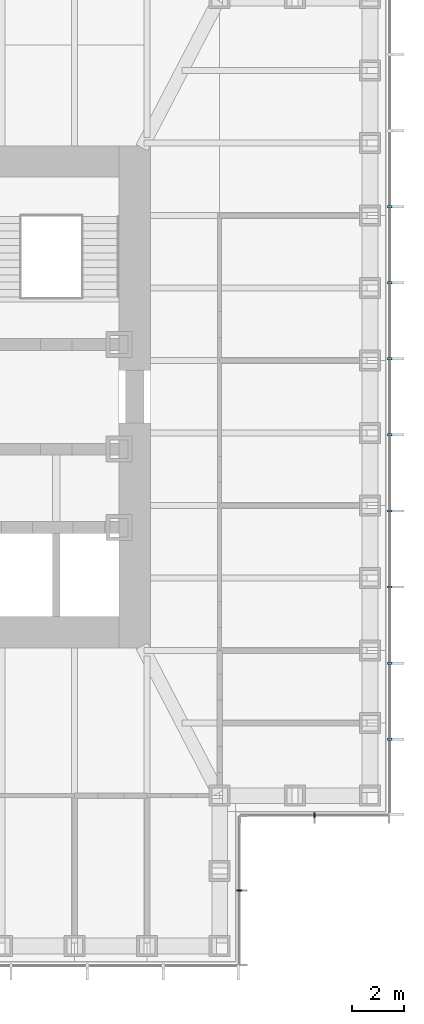
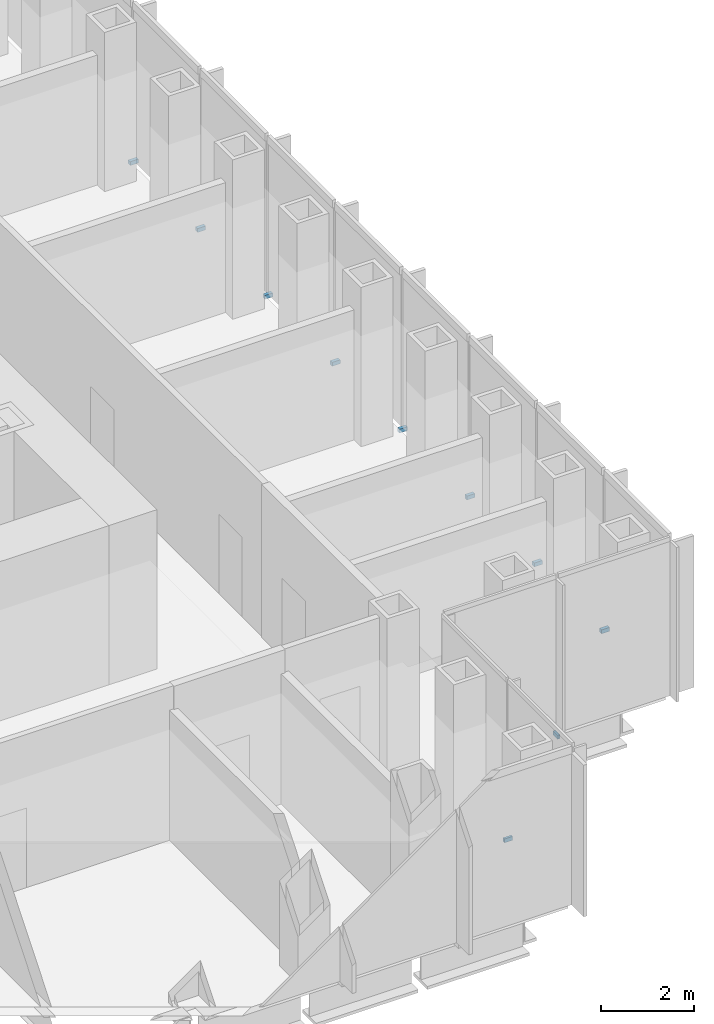
# One storey, part 13 of 16: 10 discrete accessories.
"""IFC4 building model written with IfcOpenShell, lengths in metres."""

from ifc_helpers import new_model, si_unit, direction, frame, origin, origin_2d, place, context, subcontext, project, spatial, rectangle, extrude, element, save


model = new_model("IFC4")

# Units and contexts
model_context = context("Model", 3, precision=1e-05, world=origin(), true_north=direction((0.0, 1.0)))
body_context = subcontext(model_context, "Body", "Model", "MODEL_VIEW")
ifc_project = project(units=[si_unit("LENGTHUNIT", "METRE"), si_unit("AREAUNIT", "SQUARE_METRE"), si_unit("VOLUMEUNIT", "CUBIC_METRE"), si_unit("PLANEANGLEUNIT", "RADIAN"), si_unit("MASSUNIT", "GRAM", prefix="KILO")], contexts=[model_context])

# Site, building, storey
site_placement = place(None, origin())
site = spatial("IfcSite", under=ifc_project, at=site_placement, CompositionType="ELEMENT")
building_placement = place(site_placement, origin())
building = spatial("IfcBuilding", under=site, at=building_placement, Name="Daluyong Arena Tower", CompositionType="ELEMENT")
storey_placement = place(building_placement, frame((0.0, 0.0, 271.300048828125)))
storey = spatial("IfcBuildingStorey", under=building, at=storey_placement, Name="L61", CompositionType="ELEMENT", Elevation=271.300048828125)

# Discrete accessories
for number, where, z_axis, x_axis, name in (
    (1, (72.0, 61.125, -0.10009765625), (0.0, 0.0, 1.0), (0.0, 1.0, 0.0), "curtain wall L61 SE-E anchor bracket 2"),
    (2, (74.875, 64.0, -0.10009765625), (0.0, 0.0, 1.0), (1.0, 0.0, 0.0), "curtain wall L61 SE-S anchor bracket 2"),
):
    element("IfcDiscreteAccessory", number, at=place(storey_placement, frame(where, z_axis=z_axis, x_axis=x_axis)), inside=storey, Name=name, PredefinedType="BRACKET", context=body_context, shape_type="SweptSolid", body=[
        extrude(rectangle(XDim=0.06005859375, YDim=0.199951171875, at=origin_2d()), origin(), (0.0, 0.0, 1.0), 0.10009765625),
    ])
for number, where, z_axis, x_axis, name in (
    (3, (77.75, 66.9091796875, -0.10009765625), (0.0, 0.0, 1.0), (0.0, 1.0, 0.0), "curtain wall L61 E anchor bracket 2"),
    (4, (77.75, 69.818115234375, -0.10009765625), (0.0, 0.0, 1.0), (0.0, 1.0, 0.0), "curtain wall L61 E anchor bracket 3"),
    (5, (77.75, 72.727294921875, -0.10009765625), (0.0, 0.0, 1.0), (0.0, 1.0, 0.0), "curtain wall L61 E anchor bracket 4"),
    (6, (77.75, 75.636474609375, -0.10009765625), (0.0, 0.0, 1.0), (0.0, 1.0, 0.0), "curtain wall L61 E anchor bracket 5"),
    (7, (77.75, 78.54541015625, -0.10009765625), (0.0, 0.0, 1.0), (0.0, 1.0, 0.0), "curtain wall L61 E anchor bracket 6"),
    (8, (77.75, 81.45458984375, -0.10009765625), (0.0, 0.0, 1.0), (0.0, 1.0, 0.0), "curtain wall L61 E anchor bracket 7"),
    (9, (77.75, 84.363525390625, -0.10009765625), (0.0, 0.0, 1.0), (0.0, 1.0, 0.0), "curtain wall L61 E anchor bracket 8"),
    (10, (77.75, 87.272705078125, -0.10009765625), (0.0, 0.0, 1.0), (0.0, 1.0, 0.0), "curtain wall L61 E anchor bracket 9"),
):
    element("IfcDiscreteAccessory", number, at=place(storey_placement, frame(where, z_axis=z_axis, x_axis=x_axis)), inside=storey, Name=name, PredefinedType="BRACKET", context=body_context, shape_type="SweptSolid", body=[
        extrude(rectangle(XDim=0.090087890625, YDim=0.199951171875, at=origin_2d()), origin(), (0.0, 0.0, 1.0), 0.10009765625),
    ])

save(model, "model.ifc")
